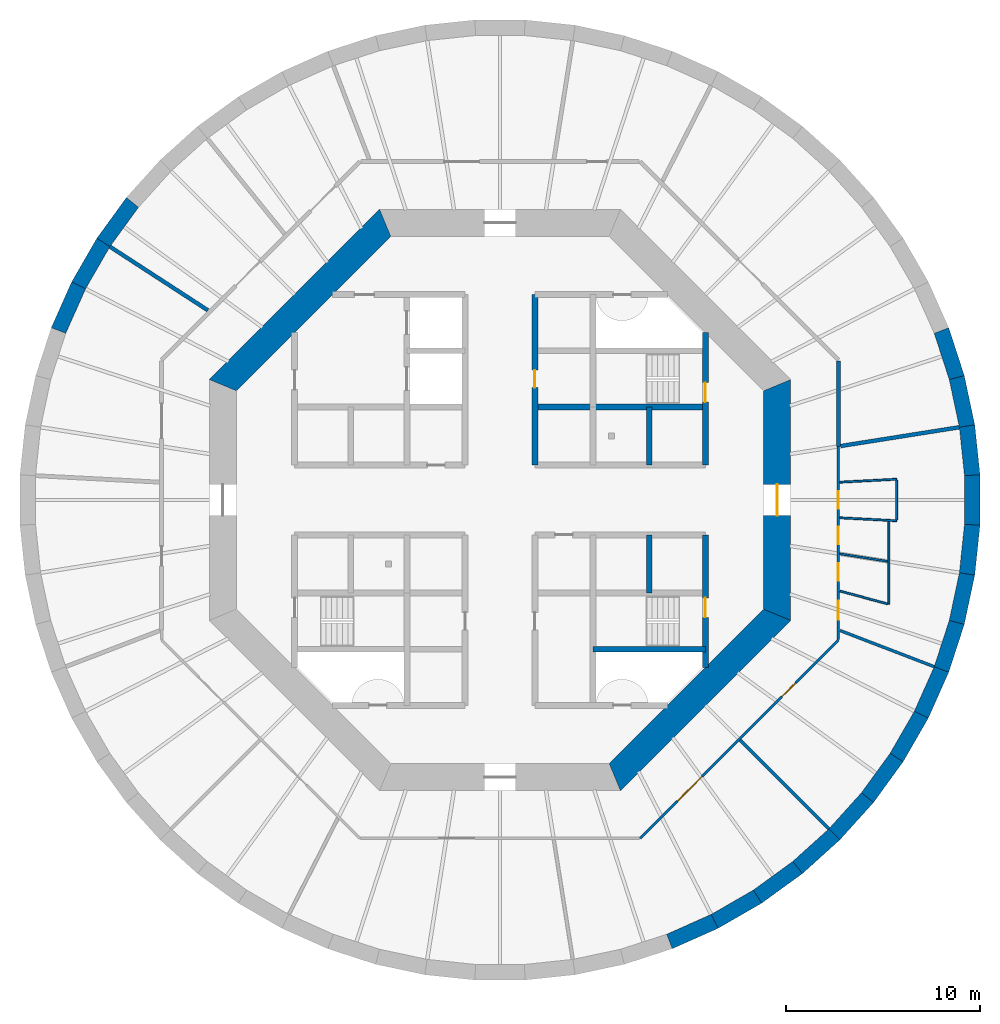
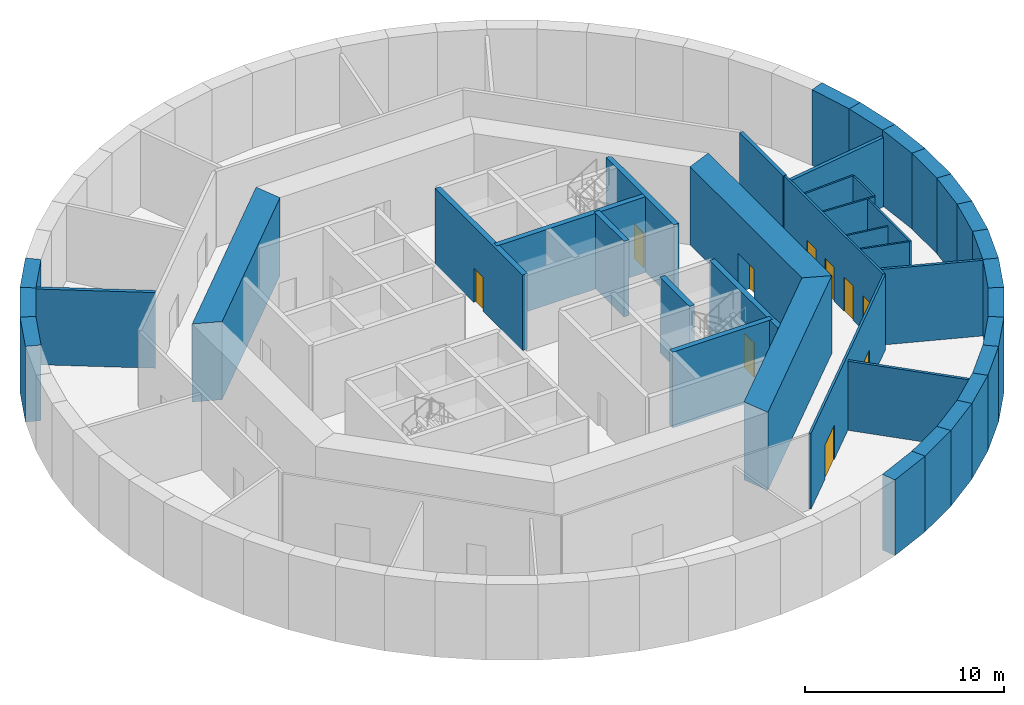
# One storey, part 4 of 7: 41 walls, 10 doors, 10 openings.
"""IFC4 building model written with IfcOpenShell, lengths in metres."""

from ifc_helpers import new_model, si_unit, direction, frame, frame_2d, origin, place, context, subcontext, project, spatial, polyline, rectangle, outline, extrude, material, layer, layer_set, type_object, element, fill, save


model = new_model("IFC4")

# Units and contexts
model_context = context("Model", 3, precision=1e-05, world=origin(), true_north=direction((0.0, 1.0)))
body_context = subcontext(model_context, "Body", "Model", "MODEL_VIEW")
ifc_project = project(units=[si_unit("LENGTHUNIT", "METRE"), si_unit("AREAUNIT", "SQUARE_METRE"), si_unit("VOLUMEUNIT", "CUBIC_METRE"), si_unit("PLANEANGLEUNIT", "RADIAN"), si_unit("MASSUNIT", "GRAM", prefix="KILO")], contexts=[model_context])

# Site, building, storey
site_placement = place(None, origin())
site = spatial("IfcSite", under=ifc_project, at=site_placement, CompositionType="ELEMENT")
building_placement = place(site_placement, origin())
building = spatial("IfcBuilding", under=site, at=building_placement, Name="Entoto Ring Tower", CompositionType="ELEMENT")
storey_placement = place(building_placement, frame((0.0, 0.0, -4.800048828125)))
storey = spatial("IfcBuildingStorey", under=building, at=storey_placement, Name="B1", CompositionType="ELEMENT", Elevation=-4.800048828125)

# Wall, opening, door
ifc_material_1 = material(Name="Concrete C40/50", Category="concrete")
ifc_layer_1 = layer(ifc_material_1, 0.300048828125)
ifc_layer_set_1 = layer_set([ifc_layer_1], Name="Concrete C40/50")
wall_type_1 = type_object("IfcWallType", Name="Core enclosure wall 300 mm reinforced concrete", PredefinedType="SOLIDWALL", material=ifc_layer_set_1)
wall_1_placement = place(storey_placement, frame((100.60009765625, 71.36669921875, 0.0), z_axis=(0.0, 0.0, 1.0), x_axis=(0.0, 1.0, 0.0)))
wall_1 = element("IfcWall", 1, at=wall_1_placement, inside=storey, type_object=wall_type_1, Name="wall-B1-001", PredefinedType="SOLIDWALL", context=body_context, shape_type="SweptSolid", body=[
    extrude(rectangle(XDim=6.833251953125, YDim=0.300048828125, at=frame_2d((3.41650390625, 0.0))), origin(), (0.0, 0.0, 1.0), 4.650146484375),
])
opening_1_placement = place(wall_1_placement, frame((2.583251953125, 0.0, 0.0)))
opening_1 = element("IfcOpeningElement", 2, at=opening_1_placement, cuts=wall_1, Name="Opening K-44", PredefinedType="OPENING", context=body_context, shape_type="SweptSolid", body=[
    extrude(rectangle(XDim=1.0, YDim=2.10009765625, at=frame_2d((0.5, 1.050048828125))), frame((0.0, 0.16015625, 0.0), z_axis=(0.0, -1.0, 0.0), x_axis=(1.0, 0.0, 0.0)), (0.0, 0.0, 1.0), 0.320068359375),
])
ifc_material_2 = material(Name="Steel door leaf, fire rated", Category="steel")
ifc_layer_2 = layer(ifc_material_2, 0.050048828125)
ifc_layer_set_2 = layer_set([ifc_layer_2], Name="Steel door leaf, fire rated")
door_type_1 = type_object("IfcDoorType", Name="Fire door FD60 1000 x 2100 single leaf", OperationType="NOTDEFINED", PredefinedType="DOOR", material=ifc_layer_set_2)
door_1_placement = place(opening_1_placement, origin())
door_1 = element("IfcDoor", 3, at=door_1_placement, inside=storey, type_object=door_type_1, Name="Door K-44", OperationType="SINGLE_SWING_RIGHT", OverallHeight=2.10009765625, OverallWidth=1.0, PredefinedType="DOOR", context=body_context, shape_type="SweptSolid", body=[
    extrude(rectangle(XDim=1.0, YDim=2.10009765625, at=frame_2d((0.5, 1.050048828125))), frame((0.0, 0.02490234375, 0.0), z_axis=(0.0, -1.0, 0.0), x_axis=(1.0, 0.0, 0.0)), (0.0, 0.0, 1.0), 0.050048828125),
])
fill(opening_1, door_1)

wall_2_placement = place(storey_placement, frame((100.60009765625, 81.800048828125, 0.0), z_axis=(0.0, 0.0, 1.0), x_axis=(0.0, 1.0, 0.0)))
wall_2 = element("IfcWall", 4, at=wall_2_placement, inside=storey, type_object=wall_type_1, Name="wall-B1-002", PredefinedType="SOLIDWALL", context=body_context, shape_type="SweptSolid", body=[
    extrude(rectangle(XDim=6.833251953125, YDim=0.300048828125, at=frame_2d((3.41650390625, 0.0))), origin(), (0.0, 0.0, 1.0), 4.650146484375),
])
opening_2_placement = place(wall_2_placement, frame((3.25, 0.0, 0.0)))
opening_2 = element("IfcOpeningElement", 5, at=opening_2_placement, cuts=wall_2, Name="Opening K-42", PredefinedType="OPENING", context=body_context, shape_type="SweptSolid", body=[
    extrude(rectangle(XDim=1.0, YDim=2.10009765625, at=frame_2d((0.5, 1.050048828125))), frame((0.0, 0.16015625, 0.0), z_axis=(0.0, -1.0, 0.0), x_axis=(1.0, 0.0, 0.0)), (0.0, 0.0, 1.0), 0.320068359375),
])
door_2_placement = place(opening_2_placement, origin())
door_2 = element("IfcDoor", 6, at=door_2_placement, inside=storey, type_object=door_type_1, Name="Door K-42", OperationType="SINGLE_SWING_RIGHT", OverallHeight=2.10009765625, OverallWidth=1.0, PredefinedType="DOOR", context=body_context, shape_type="SweptSolid", body=[
    extrude(rectangle(XDim=1.0, YDim=2.10009765625, at=frame_2d((0.5, 1.050048828125))), frame((0.0, 0.02490234375, 0.0), z_axis=(0.0, -1.0, 0.0), x_axis=(1.0, 0.0, 0.0)), (0.0, 0.0, 1.0), 0.050048828125),
])
fill(opening_2, door_2)

# Walls
for number, where, z_axis, x_axis, name in (
    (7, (97.699951171875, 75.199951171875, 0.0), (0.0, 0.0, 1.0), (0.0, 1.0, 0.0), "wall-B1-003"),
    (8, (97.699951171875, 81.800048828125, 0.0), (0.0, 0.0, 1.0), (0.0, 1.0, 0.0), "wall-B1-004"),
):
    element("IfcWall", number, at=place(storey_placement, frame(where, z_axis=z_axis, x_axis=x_axis)), inside=storey, type_object=wall_type_1, Name=name, PredefinedType="SOLIDWALL", context=body_context, shape_type="SweptSolid", body=[
        extrude(rectangle(XDim=3.0, YDim=0.300048828125, at=frame_2d((1.5, 0.0))), origin(), (0.0, 0.0, 1.0), 4.650146484375),
    ])

# Wall, opening, door
wall_3_placement = place(storey_placement, frame((91.800048828125, 81.800048828125, 0.0), z_axis=(0.0, 0.0, 1.0), x_axis=(0.0, 1.0, 0.0)))
wall_3 = element("IfcWall", 9, at=wall_3_placement, inside=storey, type_object=wall_type_1, Name="wall-B1-009", PredefinedType="SOLIDWALL", context=body_context, shape_type="SweptSolid", body=[
    extrude(rectangle(XDim=8.800048828125, YDim=0.300048828125, at=frame_2d((4.39990234375, 0.0))), origin(), (0.0, 0.0, 1.0), 4.650146484375),
])
opening_3_placement = place(wall_3_placement, frame((4.0, 0.0, 0.0)))
opening_3 = element("IfcOpeningElement", 10, at=opening_3_placement, cuts=wall_3, Name="Opening K-05", PredefinedType="OPENING", context=body_context, shape_type="SweptSolid", body=[
    extrude(rectangle(XDim=0.89990234375, YDim=2.10009765625, at=frame_2d((0.449951171875, 1.050048828125))), frame((0.0, 0.16015625, 0.0), z_axis=(0.0, -1.0, 0.0), x_axis=(1.0, 0.0, 0.0)), (0.0, 0.0, 1.0), 0.320068359375),
])
ifc_material_3 = material(Name="Steel door leaf, fire rated", Category="steel")
ifc_layer_3 = layer(ifc_material_3, 0.050048828125)
ifc_layer_set_3 = layer_set([ifc_layer_3], Name="Steel door leaf, fire rated")
door_type_2 = type_object("IfcDoorType", Name="Core door 900 x 2100 single leaf", OperationType="NOTDEFINED", PredefinedType="DOOR", material=ifc_layer_set_3)
door_3_placement = place(opening_3_placement, origin())
door_3 = element("IfcDoor", 11, at=door_3_placement, inside=storey, type_object=door_type_2, Name="Door K-05", OperationType="SINGLE_SWING_RIGHT", OverallHeight=2.10009765625, OverallWidth=0.89990234375, PredefinedType="DOOR", context=body_context, shape_type="SweptSolid", body=[
    extrude(rectangle(XDim=0.89990234375, YDim=2.10009765625, at=frame_2d((0.449951171875, 1.050048828125))), frame((0.0, 0.02490234375, 0.0), z_axis=(0.0, -1.0, 0.0), x_axis=(1.0, 0.0, 0.0)), (0.0, 0.0, 1.0), 0.050048828125),
])
fill(opening_3, door_3)

# Walls
wall_4_placement = place(storey_placement, frame((94.800048828125, 72.300048828125, 0.0), z_axis=(0.0, 0.0, 1.0), x_axis=(1.0, 0.0, 0.0)))
element("IfcWall", 12, at=wall_4_placement, inside=storey, type_object=wall_type_1, Name="wall-B1-022", PredefinedType="SOLIDWALL", context=body_context, shape_type="SweptSolid", body=[
    extrude(rectangle(XDim=5.800048828125, YDim=0.300048828125, at=frame_2d((2.89990234375, 0.0))), origin(), (0.0, 0.0, 1.0), 4.650146484375),
])
wall_5_placement = place(storey_placement, frame((91.800048828125, 84.800048828125, 0.0), z_axis=(0.0, 0.0, 1.0), x_axis=(1.0, 0.0, 0.0)))
element("IfcWall", 13, at=wall_5_placement, inside=storey, type_object=wall_type_1, Name="wall-B1-030", PredefinedType="SOLIDWALL", context=body_context, shape_type="SweptSolid", body=[
    extrude(rectangle(XDim=8.800048828125, YDim=0.300048828125, at=frame_2d((4.39990234375, 0.0))), origin(), (0.0, 0.0, 1.0), 4.650146484375),
])

# Wall, opening, door
ifc_material_4 = material(Name="Concrete C60/75", Category="concrete")
ifc_layer_4 = layer(ifc_material_4, 1.39990234375)
ifc_layer_set_4 = layer_set([ifc_layer_4], Name="Concrete C60/75")
wall_type_2 = type_object("IfcWallType", Name="Core shear wall 1400 mm reinforced concrete C60/75", PredefinedType="SHEAR", material=ifc_layer_set_4)
wall_6_placement = place(storey_placement, frame((104.300048828125, 74.07666015625, 0.0), z_axis=(0.0, 0.0, 1.0), x_axis=(0.0, 1.0, 0.0)))
wall_6 = element("IfcWall", 14, at=wall_6_placement, inside=storey, type_object=wall_type_2, Name="wall-B1-core-0", PredefinedType="SHEAR", context=body_context, shape_type="SweptSolid", body=[
    extrude(outline(polyline([(-0.2900390625, -0.699951171875), (12.13671875, -0.699951171875), (11.556640625, 0.699951171875), (0.2900390625, 0.699951171875), (-0.2900390625, -0.699951171875)])), origin(), (0.0, 0.0, 1.0), 4.800048828125),
])
opening_4_placement = place(wall_6_placement, frame((5.123291015625, 0.0, 0.0)))
opening_4 = element("IfcOpeningElement", 15, at=opening_4_placement, cuts=wall_6, Name="Opening K-01", PredefinedType="OPENING", context=body_context, shape_type="SweptSolid", body=[
    extrude(rectangle(XDim=1.60009765625, YDim=2.39990234375, at=frame_2d((0.800048828125, 1.199951171875))), frame((0.0, 0.7099609375, 0.0), z_axis=(0.0, -1.0, 0.0), x_axis=(1.0, 0.0, 0.0)), (0.0, 0.0, 1.0), 1.419921875),
])
ifc_material_5 = material(Name="Steel door leaf, fire rated", Category="steel")
ifc_layer_5 = layer(ifc_material_5, 0.050048828125)
ifc_layer_set_5 = layer_set([ifc_layer_5], Name="Steel door leaf, fire rated")
door_type_3 = type_object("IfcDoorType", Name="Entrance door FD60 1600 x 2400 double leaf", OperationType="DOUBLE_DOOR_SINGLE_SWING", PredefinedType="DOOR", material=ifc_layer_set_5)
door_4_placement = place(opening_4_placement, origin())
door_4 = element("IfcDoor", 16, at=door_4_placement, inside=storey, type_object=door_type_3, Name="Entrance door K-01", OperationType="DOUBLE_DOOR_SINGLE_SWING", OverallHeight=2.39990234375, OverallWidth=1.60009765625, PredefinedType="DOOR", context=body_context, shape_type="SweptSolid", body=[
    extrude(rectangle(XDim=1.60009765625, YDim=2.39990234375, at=frame_2d((0.800048828125, 1.199951171875))), frame((0.0, 0.02490234375, 0.0), z_axis=(0.0, -1.0, 0.0), x_axis=(1.0, 0.0, 0.0)), (0.0, 0.0, 1.0), 0.050048828125),
])
fill(opening_4, door_4)

# Walls
for number, where, z_axis, x_axis, name in (
    (17, (84.07666015625, 94.300048828125, 0.0), (0.0, 0.0, 1.0), (-0.707106781187, -0.707106781187, 0.0), "wall-B1-core-3"),
    (18, (95.92333984375, 65.699951171875, 0.0), (0.0, 0.0, 1.0), (0.707106781187, 0.707106781187, 0.0), "wall-B1-core-7"),
):
    element("IfcWall", number, at=place(storey_placement, frame(where, z_axis=z_axis, x_axis=x_axis)), inside=storey, type_object=wall_type_2, Name=name, PredefinedType="SHEAR", context=body_context, shape_type="SweptSolid", body=[
        extrude(outline(polyline([(-0.2900390625, -0.699951171875), (12.136474609375, -0.699951171875), (11.556396484375, 0.699951171875), (0.2900390625, 0.699951171875), (-0.2900390625, -0.699951171875)])), origin(), (0.0, 0.0, 1.0), 4.800048828125),
    ])

# Wall, openings, doors
ifc_material_6 = material(Name="Fire-resisting plasterboard on steel studs", Category="steel")
ifc_layer_6 = layer(ifc_material_6, 0.125)
ifc_layer_set_6 = layer_set([ifc_layer_6], Name="Fire-resisting plasterboard on steel studs")
wall_type_3 = type_object("IfcWallType", Name="Corridor wall 125 mm one-hour plasterboard on steel studs", PredefinedType="PARTITIONING", material=ifc_layer_set_6)
wall_7_placement = place(storey_placement, frame((97.233154296875, 62.53759765625, 0.0), z_axis=(0.0, 0.0, 1.0), x_axis=(0.707106781187, 0.707106781187, 0.0)))
wall_7 = element("IfcWall", 19, at=wall_7_placement, inside=storey, type_object=wall_type_3, Name="partition-B1-002", PredefinedType="PARTITIONING", context=body_context, shape_type="SweptSolid", body=[
    extrude(rectangle(XDim=14.46630859375, YDim=0.125, at=frame_2d((7.233154296875, 0.0))), origin(), (0.0, 0.0, 1.0), 4.650146484375),
])
opening_5_placement = place(wall_7_placement, frame((2.716796875, 0.0, 0.0)))
opening_5 = element("IfcOpeningElement", 20, at=opening_5_placement, cuts=wall_7, Name="Opening B01-D11", PredefinedType="OPENING", context=body_context, shape_type="SweptSolid", body=[
    extrude(rectangle(XDim=1.800048828125, YDim=2.10009765625, at=frame_2d((0.89990234375, 1.050048828125))), frame((0.0, 0.072509765625, 0.0), z_axis=(0.0, -1.0, 0.0), x_axis=(1.0, 0.0, 0.0)), (0.0, 0.0, 1.0), 0.14501953125),
])
opening_6_placement = place(wall_7_placement, frame((10.349853515625, 0.0, 0.0)))
opening_6 = element("IfcOpeningElement", 21, at=opening_6_placement, cuts=wall_7, Name="Opening B01-D12", PredefinedType="OPENING", context=body_context, shape_type="SweptSolid", body=[
    extrude(rectangle(XDim=1.0, YDim=2.10009765625, at=frame_2d((0.5, 1.050048828125))), frame((0.0, 0.072509765625, 0.0), z_axis=(0.0, -1.0, 0.0), x_axis=(1.0, 0.0, 0.0)), (0.0, 0.0, 1.0), 0.14501953125),
])
ifc_material_7 = material(Name="Fire-resisting timber door set", Category="wood")
door_type_4 = type_object("IfcDoorType", Name="Door 1000 x 2100 single leaf FD30S fire door", OperationType="NOTDEFINED", PredefinedType="DOOR", material=ifc_material_7)
door_5_placement = place(opening_6_placement, frame((1.0, 0.0, 0.0), z_axis=(0.0, 0.0, 1.0), x_axis=(-1.0, 0.0, 0.0)))
door_5 = element("IfcDoor", 22, at=door_5_placement, inside=storey, type_object=door_type_4, Name="Door B01-D12", OperationType="SINGLE_SWING_RIGHT", OverallHeight=2.10009765625, OverallWidth=1.0, PredefinedType="DOOR", context=body_context, shape_type="SweptSolid", body=[
    extrude(rectangle(XDim=1.0, YDim=2.10009765625, at=frame_2d((0.5, 1.050048828125))), frame((0.0, 0.02490234375, 0.0), z_axis=(0.0, -1.0, 0.0), x_axis=(1.0, 0.0, 0.0)), (0.0, 0.0, 1.0), 0.050048828125),
])
fill(opening_6, door_5)
ifc_material_8 = material(Name="Fire-resisting timber door set", Category="wood")
door_type_5 = type_object("IfcDoorType", Name="Door 1800 x 2100 double leaf FD30S fire door", OperationType="DOUBLE_DOOR_SINGLE_SWING", PredefinedType="DOOR", material=ifc_material_8)
door_6_placement = place(opening_5_placement, frame((1.800048828125, 0.0, 0.0), z_axis=(0.0, 0.0, 1.0), x_axis=(-1.0, 0.0, 0.0)))
door_6 = element("IfcDoor", 23, at=door_6_placement, inside=storey, type_object=door_type_5, Name="Door B01-D11", OperationType="DOUBLE_DOOR_SINGLE_SWING", OverallHeight=2.10009765625, OverallWidth=1.800048828125, PredefinedType="DOOR", context=body_context, shape_type="SweptSolid", body=[
    extrude(rectangle(XDim=1.800048828125, YDim=2.10009765625, at=frame_2d((0.89990234375, 1.050048828125))), frame((0.0, 0.02490234375, 0.0), z_axis=(0.0, -1.0, 0.0), x_axis=(1.0, 0.0, 0.0)), (0.0, 0.0, 1.0), 0.050048828125),
])
fill(opening_5, door_6)

wall_8_placement = place(storey_placement, frame((107.46240234375, 72.810791015625, 0.0), z_axis=(0.0, 0.0, 1.0), x_axis=(0.0, 1.0, 0.0)))
wall_8 = element("IfcWall", 24, at=wall_8_placement, inside=storey, type_object=wall_type_3, Name="partition-B1-004", PredefinedType="PARTITIONING", context=body_context, shape_type="SweptSolid", body=[
    extrude(rectangle(XDim=9.955078125, YDim=0.125, at=frame_2d((4.9775390625, 0.0))), origin(), (0.0, 0.0, 1.0), 4.650146484375),
])
opening_7_placement = place(wall_8_placement, frame((0.998046875, 0.0, 0.0)))
opening_7 = element("IfcOpeningElement", 25, at=opening_7_placement, cuts=wall_8, Name="Opening B01-D13", PredefinedType="OPENING", context=body_context, shape_type="SweptSolid", body=[
    extrude(rectangle(XDim=1.0, YDim=2.10009765625, at=frame_2d((0.5, 1.050048828125))), frame((0.0, 0.072509765625, 0.0), z_axis=(0.0, -1.0, 0.0), x_axis=(1.0, 0.0, 0.0)), (0.0, 0.0, 1.0), 0.14501953125),
])
opening_8_placement = place(wall_8_placement, frame((3.016845703125, 0.0, 0.0)))
opening_8 = element("IfcOpeningElement", 26, at=opening_8_placement, cuts=wall_8, Name="Opening B01-D14", PredefinedType="OPENING", context=body_context, shape_type="SweptSolid", body=[
    extrude(rectangle(XDim=0.89990234375, YDim=2.10009765625, at=frame_2d((0.449951171875, 1.050048828125))), frame((0.0, 0.072509765625, 0.0), z_axis=(0.0, -1.0, 0.0), x_axis=(1.0, 0.0, 0.0)), (0.0, 0.0, 1.0), 0.14501953125),
])
opening_9_placement = place(wall_8_placement, frame((4.898681640625, 0.0, 0.0)))
opening_9 = element("IfcOpeningElement", 27, at=opening_9_placement, cuts=wall_8, Name="Opening B01-D15", PredefinedType="OPENING", context=body_context, shape_type="SweptSolid", body=[
    extrude(rectangle(XDim=0.89990234375, YDim=2.10009765625, at=frame_2d((0.449951171875, 1.050048828125))), frame((0.0, 0.072509765625, 0.0), z_axis=(0.0, -1.0, 0.0), x_axis=(1.0, 0.0, 0.0)), (0.0, 0.0, 1.0), 0.14501953125),
])
opening_10_placement = place(wall_8_placement, frame((6.7392578125, 0.0, 0.0)))
opening_10 = element("IfcOpeningElement", 28, at=opening_10_placement, cuts=wall_8, Name="Opening B01-D16", PredefinedType="OPENING", context=body_context, shape_type="SweptSolid", body=[
    extrude(rectangle(XDim=0.89990234375, YDim=2.10009765625, at=frame_2d((0.449951171875, 1.050048828125))), frame((0.0, 0.072509765625, 0.0), z_axis=(0.0, -1.0, 0.0), x_axis=(1.0, 0.0, 0.0)), (0.0, 0.0, 1.0), 0.14501953125),
])
door_7_placement = place(opening_7_placement, frame((1.0, 0.0, 0.0), z_axis=(0.0, 0.0, 1.0), x_axis=(-1.0, 0.0, 0.0)))
door_7 = element("IfcDoor", 29, at=door_7_placement, inside=storey, type_object=door_type_4, Name="Door B01-D13", OperationType="SINGLE_SWING_RIGHT", OverallHeight=2.10009765625, OverallWidth=1.0, PredefinedType="DOOR", context=body_context, shape_type="SweptSolid", body=[
    extrude(rectangle(XDim=1.0, YDim=2.10009765625, at=frame_2d((0.5, 1.050048828125))), frame((0.0, 0.02490234375, 0.0), z_axis=(0.0, -1.0, 0.0), x_axis=(1.0, 0.0, 0.0)), (0.0, 0.0, 1.0), 0.050048828125),
])
fill(opening_7, door_7)
door_8_placement = place(opening_8_placement, frame((0.89990234375, 0.0, 0.0), z_axis=(0.0, 0.0, 1.0), x_axis=(-1.0, 0.0, 0.0)))
door_8 = element("IfcDoor", 30, at=door_8_placement, inside=storey, type_object=door_type_4, Name="Door B01-D14", OperationType="SINGLE_SWING_LEFT", OverallHeight=2.10009765625, OverallWidth=0.89990234375, PredefinedType="DOOR", context=body_context, shape_type="SweptSolid", body=[
    extrude(rectangle(XDim=0.89990234375, YDim=2.10009765625, at=frame_2d((0.449951171875, 1.050048828125))), frame((0.0, 0.02490234375, 0.0), z_axis=(0.0, -1.0, 0.0), x_axis=(1.0, 0.0, 0.0)), (0.0, 0.0, 1.0), 0.050048828125),
])
fill(opening_8, door_8)
door_9_placement = place(opening_9_placement, frame((0.89990234375, 0.0, 0.0), z_axis=(0.0, 0.0, 1.0), x_axis=(-1.0, 0.0, 0.0)))
door_9 = element("IfcDoor", 31, at=door_9_placement, inside=storey, type_object=door_type_4, Name="Door B01-D15", OperationType="SINGLE_SWING_LEFT", OverallHeight=2.10009765625, OverallWidth=0.89990234375, PredefinedType="DOOR", context=body_context, shape_type="SweptSolid", body=[
    extrude(rectangle(XDim=0.89990234375, YDim=2.10009765625, at=frame_2d((0.449951171875, 1.050048828125))), frame((0.0, 0.02490234375, 0.0), z_axis=(0.0, -1.0, 0.0), x_axis=(1.0, 0.0, 0.0)), (0.0, 0.0, 1.0), 0.050048828125),
])
fill(opening_9, door_9)
door_10_placement = place(opening_10_placement, frame((0.89990234375, 0.0, 0.0), z_axis=(0.0, 0.0, 1.0), x_axis=(-1.0, 0.0, 0.0)))
door_10 = element("IfcDoor", 32, at=door_10_placement, inside=storey, type_object=door_type_4, Name="Door B01-D16", OperationType="SINGLE_SWING_RIGHT", OverallHeight=2.10009765625, OverallWidth=0.89990234375, PredefinedType="DOOR", context=body_context, shape_type="SweptSolid", body=[
    extrude(rectangle(XDim=0.89990234375, YDim=2.10009765625, at=frame_2d((0.449951171875, 1.050048828125))), frame((0.0, 0.02490234375, 0.0), z_axis=(0.0, -1.0, 0.0), x_axis=(1.0, 0.0, 0.0)), (0.0, 0.0, 1.0), 0.050048828125),
])
fill(opening_10, door_10)

# Walls
ifc_material_9 = material(Name="Plasterboard on steel studs", Category="steel")
ifc_layer_7 = layer(ifc_material_9, 0.10009765625)
ifc_layer_set_7 = layer_set([ifc_layer_7], Name="Plasterboard on steel studs")
wall_type_4 = type_object("IfcWallType", Name="Partition 100 mm plasterboard on steel studs", PredefinedType="PARTITIONING", material=ifc_layer_set_7)
wall_9_placement = place(storey_placement, frame((110.0625, 74.624267578125, 0.0), z_axis=(0.0, 0.0, 1.0), x_axis=(0.0, 1.0, 0.0)))
element("IfcWall", 33, at=wall_9_placement, inside=storey, type_object=wall_type_4, Name="partition-B1-024", PredefinedType="PARTITIONING", context=body_context, shape_type="SweptSolid", body=[
    extrude(rectangle(XDim=4.271728515625, YDim=0.10009765625, at=frame_2d((2.1357421875, 0.0))), origin(), (0.0, 0.0, 1.0), 4.650146484375),
])
for number, where, z_axis, x_axis, name in (
    (34, (107.527587890625, 80.918701171875, 0.0), (0.0, 0.0, 1.0), (0.998629508334, 0.052336460382, 0.0), "partition-B1-025"),
    (35, (110.46240234375, 78.927490234375, 0.0), (0.0, 0.0, 1.0), (-0.998629508334, 0.052336460382, 0.0), "partition-B1-026"),
):
    element("IfcWall", number, at=place(storey_placement, frame(where, z_axis=z_axis, x_axis=x_axis)), inside=storey, type_object=wall_type_4, Name=name, PredefinedType="PARTITIONING", context=body_context, shape_type="SweptSolid", body=[
        extrude(rectangle(XDim=2.938720703125, YDim=0.10009765625, at=frame_2d((1.46923828125, 0.0))), origin(), (0.0, 0.0, 1.0), 4.650146484375),
    ])
wall_10_placement = place(storey_placement, frame((109.999755859375, 74.64111328125, 0.0), z_axis=(0.0, 0.0, 1.0), x_axis=(-0.965925818063, 0.258819075804, 0.0)))
element("IfcWall", 36, at=wall_10_placement, inside=storey, type_object=wall_type_4, Name="partition-B1-027", PredefinedType="PARTITIONING", context=body_context, shape_type="SweptSolid", body=[
    extrude(rectangle(XDim=2.548828125, YDim=0.10009765625, at=frame_2d((1.2744140625, 0.0))), origin(), (0.0, 0.0, 1.0), 4.650146484375),
])
wall_11_placement = place(storey_placement, frame((110.46240234375, 78.980224609375, 0.0), z_axis=(0.0, 0.0, 1.0), x_axis=(0.0, 1.0, 0.0)))
element("IfcWall", 37, at=wall_11_placement, inside=storey, type_object=wall_type_4, Name="partition-B1-029", PredefinedType="PARTITIONING", context=body_context, shape_type="SweptSolid", body=[
    extrude(rectangle(XDim=2.03955078125, YDim=0.10009765625, at=frame_2d((1.019775390625, 0.0))), origin(), (0.0, 0.0, 1.0), 4.650146484375),
])
ifc_material_10 = material(Name="Plasterboard on steel studs", Category="steel")
ifc_layer_8 = layer(ifc_material_10, 0.10009765625)
ifc_layer_set_8 = layer_set([ifc_layer_8], Name="Plasterboard on steel studs")
wall_type_5 = type_object("IfcWallType", Name="Partition 100 mm plasterboard on steel studs, 4250 mm high", PredefinedType="PARTITIONING", material=ifc_layer_set_8)
wall_12_placement = place(storey_placement, frame((110.0048828125, 76.83154296875, 0.0), z_axis=(0.0, 0.0, 1.0), x_axis=(-0.987685338976, 0.156453415339, 0.0)))
element("IfcWall", 38, at=wall_12_placement, inside=storey, type_object=wall_type_5, Name="partition-B1-028", PredefinedType="PARTITIONING", context=body_context, shape_type="SweptSolid", body=[
    extrude(rectangle(XDim=2.5029296875, YDim=0.10009765625, at=frame_2d((1.25146484375, 0.0))), origin(), (0.0, 0.0, 1.0), 4.25),
])
ifc_material_11 = material(Name="Fire-resisting acoustic plasterboard on steel studs", Category="steel")
ifc_layer_9 = layer(ifc_material_11, 0.14990234375)
ifc_layer_set_9 = layer_set([ifc_layer_9], Name="Fire-resisting acoustic plasterboard on steel studs")
wall_type_6 = type_object("IfcWallType", Name="Party wall 150 mm one-hour acoustic plasterboard on steel studs", PredefinedType="PARTITIONING", material=ifc_layer_set_9)
wall_13_placement = place(storey_placement, frame((112.4013671875, 71.40087890625, 0.0), z_axis=(0.0, 0.0, 1.0), x_axis=(-0.93358160882, 0.358364869475, 0.0)))
element("IfcWall", 39, at=wall_13_placement, inside=storey, type_object=wall_type_6, Name="partition-B1-010", PredefinedType="PARTITIONING", context=body_context, shape_type="SweptSolid", body=[
    extrude(rectangle(XDim=5.194580078125, YDim=0.14990234375, at=frame_2d((2.59716796875, 0.0))), origin(), (0.0, 0.0, 1.0), 4.650146484375),
])
ifc_material_12 = material(Name="Fire-resisting acoustic plasterboard on steel studs", Category="steel")
ifc_layer_10 = layer(ifc_material_12, 0.14990234375)
ifc_layer_set_10 = layer_set([ifc_layer_10], Name="Fire-resisting acoustic plasterboard on steel studs")
wall_type_7 = type_object("IfcWallType", Name="Party wall 150 mm one-hour acoustic plasterboard on steel studs, 4250 mm high", PredefinedType="PARTITIONING", material=ifc_layer_set_10)
wall_14_placement = place(storey_placement, frame((106.967041015625, 63.032958984375, 0.0), z_axis=(0.0, 0.0, 1.0), x_axis=(-0.707106781187, 0.707106781187, 0.0)))
element("IfcWall", 40, at=wall_14_placement, inside=storey, type_object=wall_type_7, Name="partition-B1-007", PredefinedType="PARTITIONING", context=body_context, shape_type="SweptSolid", body=[
    extrude(rectangle(XDim=6.469970703125, YDim=0.14990234375, at=frame_2d((3.23486328125, 0.0))), origin(), (0.0, 0.0, 1.0), 4.25),
])
ifc_material_13 = material(Name="Concrete C20/25", Category="concrete")
ifc_layer_11 = layer(ifc_material_13, 0.199951171875)
ifc_layer_set_11 = layer_set([ifc_layer_11], Name="Concrete C20/25")
wall_type_8 = type_object("IfcWallType", Name="Plant room wall 200 mm two-hour concrete", PredefinedType="PARTITIONING", material=ifc_layer_set_11)
wall_15_placement = place(storey_placement, frame((74.924072265625, 89.790283203125, 0.0), z_axis=(0.0, 0.0, 1.0), x_axis=(-0.8386548451, 0.544663245309, 0.0)))
element("IfcWall", 41, at=wall_15_placement, inside=storey, type_object=wall_type_8, Name="partition-B1-019", PredefinedType="PARTITIONING", context=body_context, shape_type="SweptSolid", body=[
    extrude(rectangle(XDim=6.01904296875, YDim=0.199951171875, at=frame_2d((3.009521484375, 0.0))), origin(), (0.0, 0.0, 1.0), 4.650146484375),
])
wall_16_placement = place(storey_placement, frame((107.46240234375, 82.765869140625, 0.0), z_axis=(0.0, 0.0, 1.0), x_axis=(0.0, 1.0, 0.0)))
element("IfcWall", 42, at=wall_16_placement, inside=storey, type_object=wall_type_8, Name="partition-B1-023", PredefinedType="PARTITIONING", context=body_context, shape_type="SweptSolid", body=[
    extrude(rectangle(XDim=4.396728515625, YDim=0.199951171875, at=frame_2d((2.1982421875, 0.0))), origin(), (0.0, 0.0, 1.0), 4.650146484375),
])
ifc_material_14 = material(Name="Concrete C20/25", Category="concrete")
ifc_layer_12 = layer(ifc_material_14, 0.199951171875)
ifc_layer_set_12 = layer_set([ifc_layer_12], Name="Concrete C20/25")
wall_type_9 = type_object("IfcWallType", Name="Plant room wall 200 mm two-hour concrete, 4250 mm high", PredefinedType="PARTITIONING", material=ifc_layer_set_12)
wall_17_placement = place(storey_placement, frame((107.578125, 82.7841796875, 0.0), z_axis=(0.0, 0.0, 1.0), x_axis=(0.98769035784, 0.156421728124, 0.0)))
element("IfcWall", 43, at=wall_17_placement, inside=storey, type_object=wall_type_9, Name="partition-B1-018", PredefinedType="PARTITIONING", context=body_context, shape_type="SweptSolid", body=[
    extrude(rectangle(XDim=6.19775390625, YDim=0.199951171875, at=frame_2d((3.098876953125, 0.0))), origin(), (0.0, 0.0, 1.0), 4.25),
])
ifc_material_15 = material(Name="Concrete C40/50", Category="concrete")
ifc_layer_13 = layer(ifc_material_15, 0.800048828125)
ifc_layer_set_13 = layer_set([ifc_layer_13], Name="Concrete C40/50")
wall_type_10 = type_object("IfcWallType", Name="Retaining wall 800 mm upper basement", PredefinedType="SOLIDWALL", material=ifc_layer_set_13)
wall_18_placement = place(storey_placement, frame((114.10009765625, 83.817138671875, 0.0), z_axis=(0.0, 0.0, 1.0), x_axis=(-0.207903341306, 0.97814937544, 0.0)))
element("IfcWall", 44, at=wall_18_placement, inside=storey, type_object=wall_type_10, Name="Retaining wall B1 01", PredefinedType="SOLIDWALL", context=body_context, shape_type="SweptSolid", body=[
    extrude(outline(polyline([(-0.02099609375, -0.39990234375), (2.5751953125, -0.39990234375), (2.533203125, 0.39990234375), (0.02099609375, 0.39990234375), (-0.02099609375, -0.39990234375)])), origin(), (0.0, 0.0, 1.0), 4.650146484375),
])
for number, where, z_axis, x_axis, name in (
    (45, (113.569091796875, 86.3154296875, 0.0), (0.0, 0.0, 1.0), (-0.30904932669, 0.951046010282, 0.0), "Retaining wall B1 02"),
    (46, (71.037109375, 95.355712890625, 0.0), (0.0, 0.0, 1.0), (-0.587802181756, -0.809004694129, 0.0), "Retaining wall B1 23"),
    (47, (69.535888671875, 93.28955078125, 0.0), (0.0, 0.0, 1.0), (-0.499943114462, -0.866058244174, 0.0), "Retaining wall B1 24"),
    (48, (68.259033203125, 91.07763671875, 0.0), (0.0, 0.0, 1.0), (-0.406732610778, -0.913547252927, 0.0), "Retaining wall B1 25"),
    (49, (98.744384765625, 57.22021484375, 0.0), (0.0, 0.0, 1.0), (0.913547252927, 0.406732610778, 0.0), "Retaining wall B1 48"),
    (50, (101.07763671875, 58.259033203125, 0.0), (0.0, 0.0, 1.0), (0.866058244174, 0.499943114462, 0.0), "Retaining wall B1 49"),
    (51, (103.28955078125, 59.535888671875, 0.0), (0.0, 0.0, 1.0), (0.809004694129, 0.587802181756, 0.0), "Retaining wall B1 50"),
):
    element("IfcWall", number, at=place(storey_placement, frame(where, z_axis=z_axis, x_axis=x_axis)), inside=storey, type_object=wall_type_10, Name=name, PredefinedType="SOLIDWALL", context=body_context, shape_type="SweptSolid", body=[
        extrude(outline(polyline([(-0.02099609375, -0.39990234375), (2.574951171875, -0.39990234375), (2.532958984375, 0.39990234375), (0.02099609375, 0.39990234375), (-0.02099609375, -0.39990234375)])), origin(), (0.0, 0.0, 1.0), 4.650146484375),
    ])
for number, where, z_axis, x_axis, name in (
    (52, (105.355712890625, 61.037109375, 0.0), (0.0, 0.0, 1.0), (0.74317531308, 0.669096744895, 0.0), "Retaining wall B1 51"),
    (53, (107.25390625, 62.74609375, 0.0), (0.0, 0.0, 1.0), (0.669096744895, 0.74317531308, 0.0), "Retaining wall B1 52"),
):
    element("IfcWall", number, at=place(storey_placement, frame(where, z_axis=z_axis, x_axis=x_axis)), inside=storey, type_object=wall_type_10, Name=name, PredefinedType="SOLIDWALL", context=body_context, shape_type="SweptSolid", body=[
        extrude(outline(polyline([(-0.02099609375, -0.39990234375), (2.5751953125, -0.39990234375), (2.533203125, 0.39990234375), (0.02099609375, 0.39990234375), (-0.02099609375, -0.39990234375)])), origin(), (0.0, 0.0, 1.0), 4.650146484375),
    ])
for number, where, z_axis, x_axis, name in (
    (54, (108.962890625, 64.644287109375, 0.0), (0.0, 0.0, 1.0), (0.587802181756, 0.809004694129, 0.0), "Retaining wall B1 53"),
    (55, (110.464111328125, 66.71044921875, 0.0), (0.0, 0.0, 1.0), (0.499943114462, 0.866058244174, 0.0), "Retaining wall B1 54"),
    (56, (111.740966796875, 68.92236328125, 0.0), (0.0, 0.0, 1.0), (0.406732610778, 0.913547252927, 0.0), "Retaining wall B1 55"),
    (57, (112.77978515625, 71.255615234375, 0.0), (0.0, 0.0, 1.0), (0.30904932669, 0.951046010282, 0.0), "Retaining wall B1 56"),
):
    element("IfcWall", number, at=place(storey_placement, frame(where, z_axis=z_axis, x_axis=x_axis)), inside=storey, type_object=wall_type_10, Name=name, PredefinedType="SOLIDWALL", context=body_context, shape_type="SweptSolid", body=[
        extrude(outline(polyline([(-0.02099609375, -0.39990234375), (2.574951171875, -0.39990234375), (2.532958984375, 0.39990234375), (0.02099609375, 0.39990234375), (-0.02099609375, -0.39990234375)])), origin(), (0.0, 0.0, 1.0), 4.650146484375),
    ])
wall_19_placement = place(storey_placement, frame((113.569091796875, 73.6845703125, 0.0), z_axis=(0.0, 0.0, 1.0), x_axis=(0.207903341306, 0.97814937544, 0.0)))
element("IfcWall", 58, at=wall_19_placement, inside=storey, type_object=wall_type_10, Name="Retaining wall B1 57", PredefinedType="SOLIDWALL", context=body_context, shape_type="SweptSolid", body=[
    extrude(outline(polyline([(-0.02099609375, -0.39990234375), (2.5751953125, -0.39990234375), (2.533203125, 0.39990234375), (0.02099609375, 0.39990234375), (-0.02099609375, -0.39990234375)])), origin(), (0.0, 0.0, 1.0), 4.650146484375),
])
wall_20_placement = place(storey_placement, frame((114.10009765625, 76.182861328125, 0.0), z_axis=(0.0, 0.0, 1.0), x_axis=(0.104575313845, 0.994516970058, 0.0)))
element("IfcWall", 59, at=wall_20_placement, inside=storey, type_object=wall_type_10, Name="Retaining wall B1 58", PredefinedType="SOLIDWALL", context=body_context, shape_type="SweptSolid", body=[
    extrude(outline(polyline([(-0.02099609375, -0.39990234375), (2.574951171875, -0.39990234375), (2.532958984375, 0.39990234375), (0.02099609375, 0.39990234375), (-0.02099609375, -0.39990234375)])), origin(), (0.0, 0.0, 1.0), 4.650146484375),
])
wall_21_placement = place(storey_placement, frame((114.3671875, 78.722900390625, 0.0), z_axis=(0.0, 0.0, 1.0), x_axis=(0.0, 1.0, 0.0)))
element("IfcWall", 60, at=wall_21_placement, inside=storey, type_object=wall_type_10, Name="Retaining wall B1 59", PredefinedType="SOLIDWALL", context=body_context, shape_type="SweptSolid", body=[
    extrude(outline(polyline([(-0.02099609375, -0.39990234375), (2.5751953125, -0.39990234375), (2.533203125, 0.39990234375), (0.02099609375, 0.39990234375), (-0.02099609375, -0.39990234375)])), origin(), (0.0, 0.0, 1.0), 4.650146484375),
])
wall_22_placement = place(storey_placement, frame((114.3671875, 81.277099609375, 0.0), z_axis=(0.0, 0.0, 1.0), x_axis=(-0.104575313845, 0.994516970058, 0.0)))
element("IfcWall", 61, at=wall_22_placement, inside=storey, type_object=wall_type_10, Name="Retaining wall B1 60", PredefinedType="SOLIDWALL", context=body_context, shape_type="SweptSolid", body=[
    extrude(outline(polyline([(-0.02099609375, -0.39990234375), (2.574951171875, -0.39990234375), (2.532958984375, 0.39990234375), (0.02099609375, 0.39990234375), (-0.02099609375, -0.39990234375)])), origin(), (0.0, 0.0, 1.0), 4.650146484375),
])

save(model, "model.ifc")
